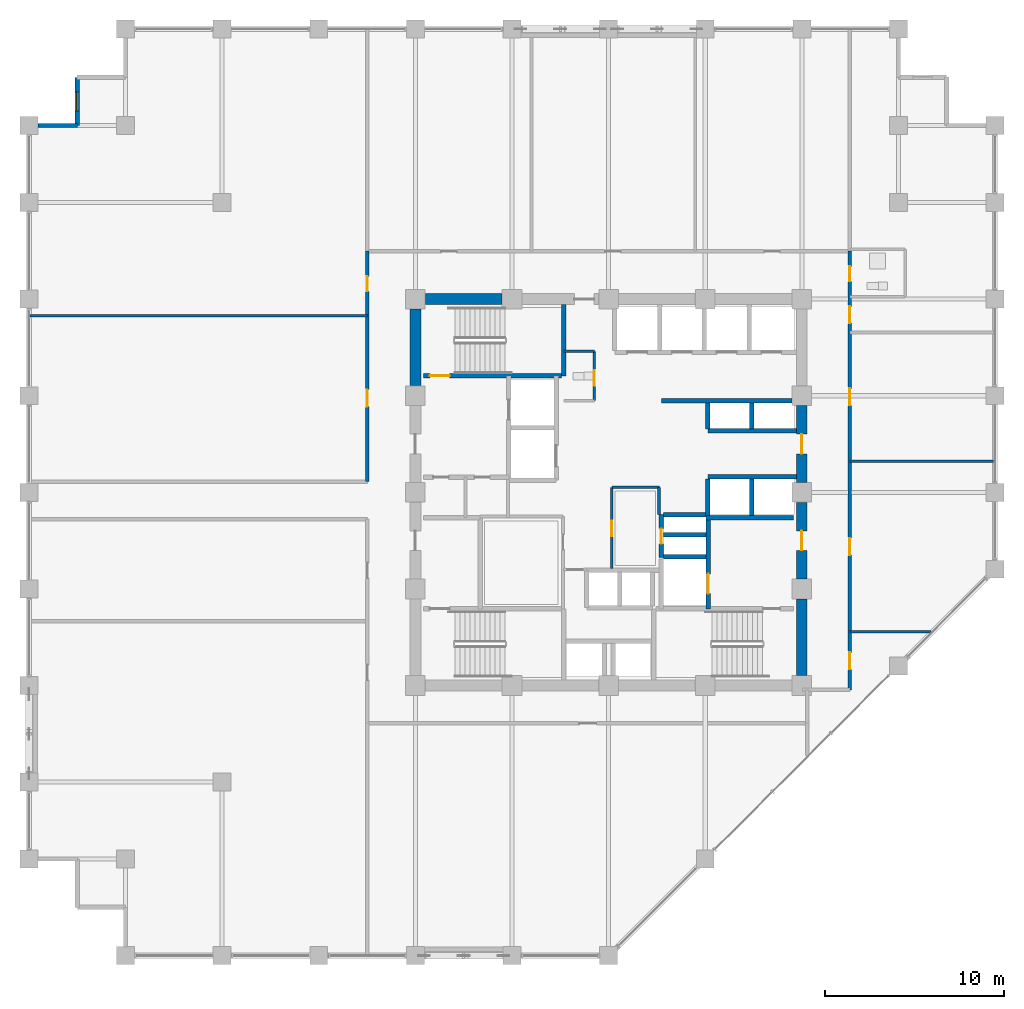
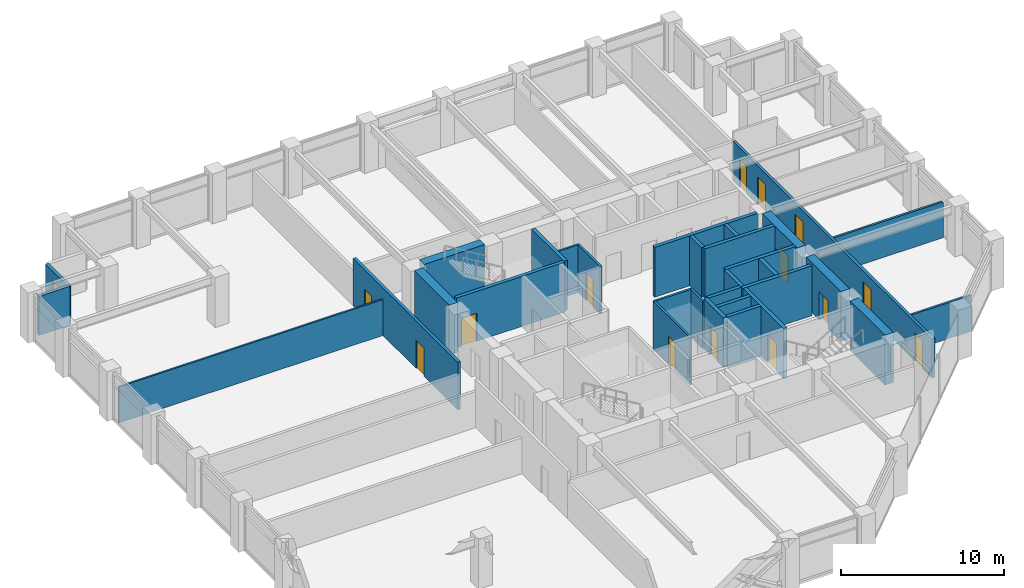
# One storey, part 20 of 23: 32 walls, 14 doors, 1 window, 15 openings.
"""IFC4 building model written with IfcOpenShell, lengths in metres."""

from ifc_helpers import new_model, si_unit, direction, frame, frame_2d, origin, place, context, subcontext, project, spatial, rectangle, extrude, material, layer, layer_set, type_object, element, fill, save


model = new_model("IFC4")

# Units and contexts
model_context = context("Model", 3, precision=1e-05, world=origin(), true_north=direction((0.0, 1.0)))
body_context = subcontext(model_context, "Body", "Model", "MODEL_VIEW")
ifc_project = project(units=[si_unit("LENGTHUNIT", "METRE"), si_unit("AREAUNIT", "SQUARE_METRE"), si_unit("VOLUMEUNIT", "CUBIC_METRE"), si_unit("PLANEANGLEUNIT", "RADIAN"), si_unit("MASSUNIT", "GRAM", prefix="KILO")], contexts=[model_context])

# Site, building, storey
site_placement = place(None, origin())
site = spatial("IfcSite", under=ifc_project, at=site_placement, CompositionType="ELEMENT")
building_placement = place(site_placement, origin())
building = spatial("IfcBuilding", under=site, at=building_placement, Name="Surkhivell Harbour Commons", CompositionType="ELEMENT")
storey_placement = place(building_placement, frame((0.0, 0.0, 128.25)))
storey = spatial("IfcBuildingStorey", under=building, at=storey_placement, Name="L33", CompositionType="ELEMENT", Elevation=128.25)

# Walls
ifc_material_1 = material(Name="Concrete C60/75", Category="concrete")
ifc_layer_1 = layer(ifc_material_1, 0.60009765625)
ifc_layer_set_1 = layer_set([ifc_layer_1], Name="Concrete C60/75")
wall_type_1 = type_object("IfcWallType", Name="WAL-CORE-600", PredefinedType="SHEAR", material=ifc_layer_set_1)
for number, where, z_axis, x_axis, name in (
    (1, (-10.239990234375, 10.800048828125, 0.0), (0.0, 0.0, 1.0), (1.0, 0.0, 0.0), "L33 Core Shear Wall North 1"),
    (2, (10.800048828125, -10.239990234375, 0.0), (0.0, 0.0, 1.0), (0.0, 1.0, 0.0), "L33 Core Shear Wall East 1"),
):
    element("IfcWall", number, at=place(storey_placement, frame(where, z_axis=z_axis, x_axis=x_axis)), inside=storey, type_object=wall_type_1, Name=name, PredefinedType="SHEAR", context=body_context, shape_type="SweptSolid", body=[
        extrude(rectangle(XDim=4.280029296875, YDim=0.60009765625, at=frame_2d((2.14013671875, 0.0))), origin(), (0.0, 0.0, 1.0), 3.75),
    ])

# Wall, opening, door
wall_1_placement = place(storey_placement, frame((10.800048828125, -4.840087890625, 0.0), z_axis=(0.0, 0.0, 1.0), x_axis=(0.0, 1.0, 0.0)))
wall_1 = element("IfcWall", 3, at=wall_1_placement, inside=storey, type_object=wall_type_1, Name="L33 Core Shear Wall East 2", PredefinedType="SHEAR", context=body_context, shape_type="SweptSolid", body=[
    extrude(rectangle(XDim=4.280029296875, YDim=0.60009765625, at=frame_2d((2.14013671875, 0.0))), origin(), (0.0, 0.0, 1.0), 3.75),
])
opening_1_placement = place(wall_1_placement, frame((1.590087890625, 0.0, 0.0)))
opening_1 = element("IfcOpeningElement", 4, at=opening_1_placement, cuts=wall_1, Name="Opening ID-1", PredefinedType="OPENING", context=body_context, shape_type="SweptSolid", body=[
    extrude(rectangle(XDim=1.10009765625, YDim=2.10009765625, at=frame_2d((0.550048828125, 1.050048828125))), frame((0.0, 0.31005859375, 0.0), z_axis=(0.0, -1.0, 0.0), x_axis=(1.0, 0.0, 0.0)), (0.0, 0.0, 1.0), 0.6201171875),
])
ifc_material_2 = material(Name="Hardwood-veneered fire-rated door leaf", Category="wood")
door_type_1 = type_object("IfcDoorType", Name="DOR-FD120-1100", OperationType="NOTDEFINED", PredefinedType="DOOR", material=ifc_material_2)
door_1_placement = place(opening_1_placement, origin())
door_1 = element("IfcDoor", 5, at=door_1_placement, inside=storey, type_object=door_type_1, Name="L33 Firefighting Lobby 2 Corridor Door", OperationType="SINGLE_SWING_RIGHT", OverallHeight=2.10009765625, OverallWidth=1.10009765625, PredefinedType="DOOR", context=body_context, shape_type="SweptSolid", body=[
    extrude(rectangle(XDim=1.10009765625, YDim=2.10009765625, at=frame_2d((0.550048828125, 1.050048828125))), frame((0.0, 0.02490234375, 0.0), z_axis=(0.0, -1.0, 0.0), x_axis=(1.0, 0.0, 0.0)), (0.0, 0.0, 1.0), 0.050048828125),
])
fill(opening_1, door_1)

wall_2_placement = place(storey_placement, frame((10.800048828125, 0.56005859375, 0.0), z_axis=(0.0, 0.0, 1.0), x_axis=(0.0, 1.0, 0.0)))
wall_2 = element("IfcWall", 6, at=wall_2_placement, inside=storey, type_object=wall_type_1, Name="L33 Core Shear Wall East 3", PredefinedType="SHEAR", context=body_context, shape_type="SweptSolid", body=[
    extrude(rectangle(XDim=4.280029296875, YDim=0.60009765625, at=frame_2d((2.14013671875, 0.0))), origin(), (0.0, 0.0, 1.0), 3.75),
])
opening_2_placement = place(wall_2_placement, frame((1.590087890625, 0.0, 0.0)))
opening_2 = element("IfcOpeningElement", 7, at=opening_2_placement, cuts=wall_2, Name="Opening ID-2", PredefinedType="OPENING", context=body_context, shape_type="SweptSolid", body=[
    extrude(rectangle(XDim=1.10009765625, YDim=2.10009765625, at=frame_2d((0.550048828125, 1.050048828125))), frame((0.0, 0.31005859375, 0.0), z_axis=(0.0, -1.0, 0.0), x_axis=(1.0, 0.0, 0.0)), (0.0, 0.0, 1.0), 0.6201171875),
])
door_type_2 = type_object("IfcDoorType", Name="DOR-FD60-1100", OperationType="NOTDEFINED", PredefinedType="DOOR", material=ifc_material_2)
door_2_placement = place(opening_2_placement, origin())
door_2 = element("IfcDoor", 8, at=door_2_placement, inside=storey, type_object=door_type_2, Name="L33 Mid-Rise Lobby East Door", OperationType="SINGLE_SWING_LEFT", OverallHeight=2.10009765625, OverallWidth=1.10009765625, PredefinedType="DOOR", context=body_context, shape_type="SweptSolid", body=[
    extrude(rectangle(XDim=1.10009765625, YDim=2.10009765625, at=frame_2d((0.550048828125, 1.050048828125))), frame((0.0, 0.02490234375, 0.0), z_axis=(0.0, -1.0, 0.0), x_axis=(1.0, 0.0, 0.0)), (0.0, 0.0, 1.0), 0.050048828125),
])
fill(opening_2, door_2)

# Wall
wall_3_placement = place(storey_placement, frame((-10.800048828125, 5.9599609375, 0.0), z_axis=(0.0, 0.0, 1.0), x_axis=(0.0, 1.0, 0.0)))
element("IfcWall", 9, at=wall_3_placement, inside=storey, type_object=wall_type_1, Name="L33 Core Shear Wall West 4", PredefinedType="SHEAR", context=body_context, shape_type="SweptSolid", body=[
    extrude(rectangle(XDim=4.280029296875, YDim=0.60009765625, at=frame_2d((2.14013671875, 0.0))), origin(), (0.0, 0.0, 1.0), 3.75),
])

# Wall, opening, window
ifc_material_3 = material(Name="Bronze-ochre cassette precast concrete C45/55", Category="concrete")
ifc_layer_2 = layer(ifc_material_3, 0.239990234375)
ifc_layer_set_2 = layer_set([ifc_layer_2], Name="Bronze-ochre cassette precast concrete C45/55")
wall_type_2 = type_object("IfcWallType", Name="WAL-EXT-OCH240", PredefinedType="STANDARD", material=ifc_layer_set_2)
wall_4_placement = place(storey_placement, frame((-29.699951171875, 23.199951171875, 0.0), z_axis=(0.0, 0.0, 1.0), x_axis=(0.0, -1.0, 0.0)))
wall_4 = element("IfcWall", 10, at=wall_4_placement, inside=storey, type_object=wall_type_2, Name="L33 Serrated Corner Facade Wall 10", PredefinedType="STANDARD", context=body_context, shape_type="SweptSolid", body=[
    extrude(rectangle(XDim=2.699951171875, YDim=0.239990234375, at=frame_2d((1.35009765625, 0.0))), origin(), (0.0, 0.0, 1.0), 2.93310546875),
])
opening_3_placement = place(wall_4_placement, frame((0.824951171875, 0.0, 0.64990234375)))
opening_3 = element("IfcOpeningElement", 11, at=opening_3_placement, cuts=wall_4, Name="Opening WN-11", PredefinedType="OPENING", context=body_context, shape_type="SweptSolid", body=[
    extrude(rectangle(XDim=1.050048828125, YDim=1.5, at=frame_2d((0.52490234375, 0.75))), frame((0.0, 0.1298828125, 0.0), z_axis=(0.0, -1.0, 0.0), x_axis=(1.0, 0.0, 0.0)), (0.0, 0.0, 1.0), 0.260009765625),
])
ifc_material_4 = material(Name="Thermal-break aluminium frame and double low-E glazing", Category="aluminium")
window_type = type_object("IfcWindowType", Name="WIN-SER-1050x1500", PartitioningType="SINGLE_PANEL", PredefinedType="WINDOW", material=ifc_material_4)
window_placement = place(opening_3_placement, origin())
window = element("IfcWindow", 12, at=window_placement, inside=storey, type_object=window_type, Name="L33 Serrated Alcove Window 10", OverallHeight=1.5, OverallWidth=1.050048828125, PartitioningType="SINGLE_PANEL", PredefinedType="WINDOW", context=body_context, shape_type="SweptSolid", body=[
    extrude(rectangle(XDim=1.050048828125, YDim=1.5, at=frame_2d((0.52490234375, 0.75))), frame((0.0, 0.030029296875, 0.0), z_axis=(0.0, -1.0, 0.0), x_axis=(1.0, 0.0, 0.0)), (0.0, 0.0, 1.0), 0.06005859375),
])
fill(opening_3, window)

# Walls
wall_5_placement = place(storey_placement, frame((-29.699951171875, 20.5, 0.0), z_axis=(0.0, 0.0, 1.0), x_axis=(-1.0, 0.0, 0.0)))
element("IfcWall", 13, at=wall_5_placement, inside=storey, type_object=wall_type_2, Name="L33 Serrated Corner Facade Wall 11", PredefinedType="STANDARD", context=body_context, shape_type="SweptSolid", body=[
    extrude(rectangle(XDim=2.2021484375, YDim=0.239990234375, at=frame_2d((1.10107421875, 0.0))), origin(), (0.0, 0.0, 1.0), 2.93310546875),
])
ifc_material_5 = material(Name="Moisture-resistant acoustic stud partition", Category="other")
ifc_layer_3 = layer(ifc_material_5, 0.125)
ifc_layer_set_3 = layer_set([ifc_layer_3], Name="Moisture-resistant acoustic stud partition")
wall_type_3 = type_object("IfcWallType", Name="WAL-INT-125", PredefinedType="PARTITIONING", material=ifc_layer_set_3)
wall_6_placement = place(storey_placement, frame((-32.340087890625, 9.8701171875, 0.0), z_axis=(0.0, 0.0, 1.0), x_axis=(1.0, 0.0, 0.0)))
element("IfcWall", 14, at=wall_6_placement, inside=storey, type_object=wall_type_3, Name="L33 North-West Partition P1", PredefinedType="PARTITIONING", context=body_context, shape_type="SweptSolid", body=[
    extrude(rectangle(XDim=18.860107421875, YDim=0.125, at=frame_2d((9.43017578125, 0.0))), origin(), (0.0, 0.0, 1.0), 2.698974609375),
])

# Wall, opening, door
ifc_material_6 = material(Name="Twin-stud acoustic fireboard partition", Category="other")
ifc_layer_4 = layer(ifc_material_6, 0.14990234375)
ifc_layer_set_4 = layer_set([ifc_layer_4], Name="Twin-stud acoustic fireboard partition")
wall_type_4 = type_object("IfcWallType", Name="WAL-INT-150", PredefinedType="PARTITIONING", material=ifc_layer_set_4)
wall_7_placement = place(storey_placement, frame((-0.800048828125, 5.1201171875, 0.0), z_axis=(0.0, 0.0, 1.0), x_axis=(0.0, 1.0, 0.0)))
wall_7 = element("IfcWall", 15, at=wall_7_placement, inside=storey, type_object=wall_type_4, Name="L33 Core Accessible WC East Wall", PredefinedType="PARTITIONING", context=body_context, shape_type="SweptSolid", body=[
    extrude(rectangle(XDim=2.759765625, YDim=0.14990234375, at=frame_2d((1.3798828125, 0.0))), origin(), (0.0, 0.0, 1.0), 3.570068359375),
])
opening_4_placement = place(wall_7_placement, frame((0.85009765625, 0.0, 0.0)))
opening_4 = element("IfcOpeningElement", 16, at=opening_4_placement, cuts=wall_7, Name="Opening ID-6", PredefinedType="OPENING", context=body_context, shape_type="SweptSolid", body=[
    extrude(rectangle(XDim=0.85009765625, YDim=2.10009765625, at=frame_2d((0.425048828125, 1.050048828125))), frame((0.0, 0.0849609375, 0.0), z_axis=(0.0, -1.0, 0.0), x_axis=(1.0, 0.0, 0.0)), (0.0, 0.0, 1.0), 0.169921875),
])
door_type_3 = type_object("IfcDoorType", Name="DOR-FD30-850", OperationType="NOTDEFINED", PredefinedType="DOOR", material=ifc_material_2)
door_3_placement = place(opening_4_placement, origin())
door_3 = element("IfcDoor", 17, at=door_3_placement, inside=storey, type_object=door_type_3, Name="L33 Floor Accessible WC Door", OperationType="SINGLE_SWING_LEFT", OverallHeight=2.10009765625, OverallWidth=0.85009765625, PredefinedType="DOOR", context=body_context, shape_type="SweptSolid", body=[
    extrude(rectangle(XDim=0.85009765625, YDim=2.10009765625, at=frame_2d((0.425048828125, 1.050048828125))), frame((0.0, 0.02490234375, 0.0), z_axis=(0.0, -1.0, 0.0), x_axis=(1.0, 0.0, 0.0)), (0.0, 0.0, 1.0), 0.050048828125),
])
fill(opening_4, door_3)

# Walls
wall_8_placement = place(storey_placement, frame((-2.47998046875, 7.8798828125, 0.0), z_axis=(0.0, 0.0, 1.0), x_axis=(1.0, 0.0, 0.0)))
element("IfcWall", 18, at=wall_8_placement, inside=storey, type_object=wall_type_4, Name="L33 Core Accessible WC North Wall", PredefinedType="PARTITIONING", context=body_context, shape_type="SweptSolid", body=[
    extrude(rectangle(XDim=1.679931640625, YDim=0.14990234375, at=frame_2d((0.83984375, 0.0))), origin(), (0.0, 0.0, 1.0), 3.570068359375),
])
wall_9_placement = place(storey_placement, frame((2.820068359375, -1.25, 0.0), z_axis=(0.0, 0.0, 1.0), x_axis=(0.0, 1.0, 0.0)))
element("IfcWall", 19, at=wall_9_placement, inside=storey, type_object=wall_type_4, Name="L33 Central Music East Wall", PredefinedType="PARTITIONING", context=body_context, shape_type="SweptSolid", body=[
    extrude(rectangle(XDim=1.530029296875, YDim=0.14990234375, at=frame_2d((0.76513671875, 0.0))), origin(), (0.0, 0.0, 1.0), 3.570068359375),
])
wall_10_placement = place(storey_placement, frame((0.179931640625, 0.280029296875, 0.0), z_axis=(0.0, 0.0, 1.0), x_axis=(1.0, 0.0, 0.0)))
element("IfcWall", 20, at=wall_10_placement, inside=storey, type_object=wall_type_4, Name="L33 Central Music North Wall", PredefinedType="PARTITIONING", context=body_context, shape_type="SweptSolid", body=[
    extrude(rectangle(XDim=2.670166015625, YDim=0.14990234375, at=frame_2d((1.3349609375, 0.0))), origin(), (0.0, 0.0, 1.0), 3.570068359375),
])

# Wall, opening, door
wall_11_placement = place(storey_placement, frame((0.179931640625, -4.25, 0.0), z_axis=(0.0, 0.0, 1.0), x_axis=(0.0, 1.0, 0.0)))
wall_11 = element("IfcWall", 21, at=wall_11_placement, inside=storey, type_object=wall_type_4, Name="L33 Central Music West Wall", PredefinedType="PARTITIONING", context=body_context, shape_type="SweptSolid", body=[
    extrude(rectangle(XDim=4.530029296875, YDim=0.14990234375, at=frame_2d((2.26513671875, 0.0))), origin(), (0.0, 0.0, 1.0), 3.570068359375),
])
opening_5_placement = place(wall_11_placement, frame((1.800048828125, 0.0, 0.0)))
opening_5 = element("IfcOpeningElement", 22, at=opening_5_placement, cuts=wall_11, Name="Opening ID-6", PredefinedType="OPENING", context=body_context, shape_type="SweptSolid", body=[
    extrude(rectangle(XDim=0.85009765625, YDim=2.10009765625, at=frame_2d((0.425048828125, 1.050048828125))), frame((0.0, 0.0849609375, 0.0), z_axis=(0.0, -1.0, 0.0), x_axis=(1.0, 0.0, 0.0)), (0.0, 0.0, 1.0), 0.169921875),
])
door_4_placement = place(opening_5_placement, origin())
door_4 = element("IfcDoor", 23, at=door_4_placement, inside=storey, type_object=door_type_3, Name="L33 Central Music Door", OperationType="SINGLE_SWING_RIGHT", OverallHeight=2.10009765625, OverallWidth=0.85009765625, PredefinedType="DOOR", context=body_context, shape_type="SweptSolid", body=[
    extrude(rectangle(XDim=0.85009765625, YDim=2.10009765625, at=frame_2d((0.425048828125, 1.050048828125))), frame((0.0, 0.02490234375, 0.0), z_axis=(0.0, -1.0, 0.0), x_axis=(1.0, 0.0, 0.0)), (0.0, 0.0, 1.0), 0.050048828125),
])
fill(opening_5, door_4)

# Walls
wall_12_placement = place(storey_placement, frame((13.47998046875, 1.739990234375, 0.0), z_axis=(0.0, 0.0, 1.0), x_axis=(1.0, 0.0, 0.0)))
element("IfcWall", 24, at=wall_12_placement, inside=storey, type_object=wall_type_4, Name="L33 East Partition BDP1", PredefinedType="PARTITIONING", context=body_context, shape_type="SweptSolid", body=[
    extrude(rectangle(XDim=8.06005859375, YDim=0.14990234375, at=frame_2d((4.030029296875, 0.0))), origin(), (0.0, 0.0, 1.0), 2.698974609375),
])
wall_13_placement = place(storey_placement, frame((13.47998046875, -7.800048828125, 0.0), z_axis=(0.0, 0.0, 1.0), x_axis=(1.0, 0.0, 0.0)))
element("IfcWall", 25, at=wall_13_placement, inside=storey, type_object=wall_type_4, Name="L33 East Partition PBOT", PredefinedType="PARTITIONING", context=body_context, shape_type="SweptSolid", body=[
    extrude(rectangle(XDim=4.53515625, YDim=0.14990234375, at=frame_2d((2.267578125, 0.0))), origin(), (0.0, 0.0, 1.0), 2.698974609375),
])

# Wall, openings, doors
ifc_material_7 = material(Name="Autoclaved aerated concrete blockwork and fire plaster", Category="masonry")
ifc_layer_5 = layer(ifc_material_7, 0.199951171875)
ifc_layer_set_5 = layer_set([ifc_layer_5], Name="Autoclaved aerated concrete blockwork and fire plaster")
wall_type_5 = type_object("IfcWallType", Name="WAL-INT-200", PredefinedType="PARTITIONING", material=ifc_layer_set_5)
wall_14_placement = place(storey_placement, frame((13.47998046875, -11.0400390625, 0.0), z_axis=(0.0, 0.0, 1.0), x_axis=(0.0, 1.0, 0.0)))
wall_14 = element("IfcWall", 26, at=wall_14_placement, inside=storey, type_object=wall_type_5, Name="L33 Corridor East Wall", PredefinedType="PARTITIONING", context=body_context, shape_type="SweptSolid", body=[
    extrude(rectangle(XDim=24.52001953125, YDim=0.199951171875, at=frame_2d((12.260009765625, 0.0))), origin(), (0.0, 0.0, 1.0), 2.93310546875),
])
opening_6_placement = place(wall_14_placement, frame((1.139892578125, 0.0, 0.0)))
opening_6 = element("IfcOpeningElement", 27, at=opening_6_placement, cuts=wall_14, Name="Opening ID-4", PredefinedType="OPENING", context=body_context, shape_type="SweptSolid", body=[
    extrude(rectangle(XDim=0.949951171875, YDim=2.10009765625, at=frame_2d((0.47509765625, 1.050048828125))), frame((0.0, 0.10986328125, 0.0), z_axis=(0.0, -1.0, 0.0), x_axis=(1.0, 0.0, 0.0)), (0.0, 0.0, 1.0), 0.219970703125),
])
opening_7_placement = place(wall_14_placement, frame((22.824951171875, 0.0, 0.0)))
opening_7 = element("IfcOpeningElement", 28, at=opening_7_placement, cuts=wall_14, Name="Opening ID-6", PredefinedType="OPENING", context=body_context, shape_type="SweptSolid", body=[
    extrude(rectangle(XDim=0.85009765625, YDim=2.10009765625, at=frame_2d((0.425048828125, 1.050048828125))), frame((0.0, 0.10986328125, 0.0), z_axis=(0.0, -1.0, 0.0), x_axis=(1.0, 0.0, 0.0)), (0.0, 0.0, 1.0), 0.219970703125),
])
opening_8_placement = place(wall_14_placement, frame((20.489990234375, 0.0, 0.0)))
opening_8 = element("IfcOpeningElement", 29, at=opening_8_placement, cuts=wall_14, Name="Opening ID-4", PredefinedType="OPENING", context=body_context, shape_type="SweptSolid", body=[
    extrude(rectangle(XDim=0.949951171875, YDim=2.10009765625, at=frame_2d((0.47509765625, 1.050048828125))), frame((0.0, 0.10986328125, 0.0), z_axis=(0.0, -1.0, 0.0), x_axis=(1.0, 0.0, 0.0)), (0.0, 0.0, 1.0), 0.219970703125),
])
opening_9_placement = place(wall_14_placement, frame((7.530029296875, 0.0, 0.0)))
opening_9 = element("IfcOpeningElement", 30, at=opening_9_placement, cuts=wall_14, Name="Opening ID-4", PredefinedType="OPENING", context=body_context, shape_type="SweptSolid", body=[
    extrude(rectangle(XDim=0.949951171875, YDim=2.10009765625, at=frame_2d((0.47509765625, 1.050048828125))), frame((0.0, 0.10986328125, 0.0), z_axis=(0.0, -1.0, 0.0), x_axis=(1.0, 0.0, 0.0)), (0.0, 0.0, 1.0), 0.219970703125),
])
opening_10_placement = place(wall_14_placement, frame((15.89501953125, 0.0, 0.0)))
opening_10 = element("IfcOpeningElement", 31, at=opening_10_placement, cuts=wall_14, Name="Opening ID-4", PredefinedType="OPENING", context=body_context, shape_type="SweptSolid", body=[
    extrude(rectangle(XDim=0.949951171875, YDim=2.10009765625, at=frame_2d((0.47509765625, 1.050048828125))), frame((0.0, 0.10986328125, 0.0), z_axis=(0.0, -1.0, 0.0), x_axis=(1.0, 0.0, 0.0)), (0.0, 0.0, 1.0), 0.219970703125),
])
door_5_placement = place(opening_7_placement, origin())
door_5 = element("IfcDoor", 32, at=door_5_placement, inside=storey, type_object=door_type_3, Name="L33 Communal Shower Bathroom East Door", OperationType="SINGLE_SWING_LEFT", OverallHeight=2.10009765625, OverallWidth=0.85009765625, PredefinedType="DOOR", context=body_context, shape_type="SweptSolid", body=[
    extrude(rectangle(XDim=0.85009765625, YDim=2.10009765625, at=frame_2d((0.425048828125, 1.050048828125))), frame((0.0, 0.02490234375, 0.0), z_axis=(0.0, -1.0, 0.0), x_axis=(1.0, 0.0, 0.0)), (0.0, 0.0, 1.0), 0.050048828125),
])
fill(opening_7, door_5)
door_type_4 = type_object("IfcDoorType", Name="DOR-FD60-950", OperationType="NOTDEFINED", PredefinedType="DOOR", material=ifc_material_2)
door_6_placement = place(opening_6_placement, origin())
door_6 = element("IfcDoor", 33, at=door_6_placement, inside=storey, type_object=door_type_4, Name="L33 Shared Communal Kitchen East Door", OperationType="SINGLE_SWING_RIGHT", OverallHeight=2.10009765625, OverallWidth=0.949951171875, PredefinedType="DOOR", context=body_context, shape_type="SweptSolid", body=[
    extrude(rectangle(XDim=0.949951171875, YDim=2.10009765625, at=frame_2d((0.47509765625, 1.050048828125))), frame((0.0, 0.02490234375, 0.0), z_axis=(0.0, -1.0, 0.0), x_axis=(1.0, 0.0, 0.0)), (0.0, 0.0, 1.0), 0.050048828125),
])
fill(opening_6, door_6)
door_7_placement = place(opening_8_placement, origin())
door_7 = element("IfcDoor", 34, at=door_7_placement, inside=storey, type_object=door_type_4, Name="L33 Academic Reading Commons East Door", OperationType="SINGLE_SWING_RIGHT", OverallHeight=2.10009765625, OverallWidth=0.949951171875, PredefinedType="DOOR", context=body_context, shape_type="SweptSolid", body=[
    extrude(rectangle(XDim=0.949951171875, YDim=2.10009765625, at=frame_2d((0.47509765625, 1.050048828125))), frame((0.0, 0.02490234375, 0.0), z_axis=(0.0, -1.0, 0.0), x_axis=(1.0, 0.0, 0.0)), (0.0, 0.0, 1.0), 0.050048828125),
])
fill(opening_8, door_7)
door_8_placement = place(opening_9_placement, origin())
door_8 = element("IfcDoor", 35, at=door_8_placement, inside=storey, type_object=door_type_4, Name="L33 Hostel Cluster Bedroom 1 East Door", OperationType="SINGLE_SWING_LEFT", OverallHeight=2.10009765625, OverallWidth=0.949951171875, PredefinedType="DOOR", context=body_context, shape_type="SweptSolid", body=[
    extrude(rectangle(XDim=0.949951171875, YDim=2.10009765625, at=frame_2d((0.47509765625, 1.050048828125))), frame((0.0, 0.02490234375, 0.0), z_axis=(0.0, -1.0, 0.0), x_axis=(1.0, 0.0, 0.0)), (0.0, 0.0, 1.0), 0.050048828125),
])
fill(opening_9, door_8)
door_9_placement = place(opening_10_placement, origin())
door_9 = element("IfcDoor", 36, at=door_9_placement, inside=storey, type_object=door_type_4, Name="L33 Co-Living Dormitory Bedroom 2 East Door", OperationType="SINGLE_SWING_RIGHT", OverallHeight=2.10009765625, OverallWidth=0.949951171875, PredefinedType="DOOR", context=body_context, shape_type="SweptSolid", body=[
    extrude(rectangle(XDim=0.949951171875, YDim=2.10009765625, at=frame_2d((0.47509765625, 1.050048828125))), frame((0.0, 0.02490234375, 0.0), z_axis=(0.0, -1.0, 0.0), x_axis=(1.0, 0.0, 0.0)), (0.0, 0.0, 1.0), 0.050048828125),
])
fill(opening_10, door_9)

wall_15_placement = place(storey_placement, frame((-13.47998046875, 0.60009765625, 0.0), z_axis=(0.0, 0.0, 1.0), x_axis=(0.0, 1.0, 0.0)))
wall_15 = element("IfcWall", 37, at=wall_15_placement, inside=storey, type_object=wall_type_5, Name="L33 Corridor West-Upper Wall", PredefinedType="PARTITIONING", context=body_context, shape_type="SweptSolid", body=[
    extrude(rectangle(XDim=12.8798828125, YDim=0.199951171875, at=frame_2d((6.43994140625, 0.0))), origin(), (0.0, 0.0, 1.0), 3.570068359375),
])
opening_11_placement = place(wall_15_placement, frame((4.18505859375, 0.0, 0.0)))
opening_11 = element("IfcOpeningElement", 38, at=opening_11_placement, cuts=wall_15, Name="Opening ID-4", PredefinedType="OPENING", context=body_context, shape_type="SweptSolid", body=[
    extrude(rectangle(XDim=0.949951171875, YDim=2.10009765625, at=frame_2d((0.47509765625, 1.050048828125))), frame((0.0, 0.10986328125, 0.0), z_axis=(0.0, -1.0, 0.0), x_axis=(1.0, 0.0, 0.0)), (0.0, 0.0, 1.0), 0.219970703125),
])
opening_12_placement = place(wall_15_placement, frame((10.625, 0.0, 0.0)))
opening_12 = element("IfcOpeningElement", 39, at=opening_12_placement, cuts=wall_15, Name="Opening ID-6", PredefinedType="OPENING", context=body_context, shape_type="SweptSolid", body=[
    extrude(rectangle(XDim=0.85009765625, YDim=2.10009765625, at=frame_2d((0.425048828125, 1.050048828125))), frame((0.0, 0.10986328125, 0.0), z_axis=(0.0, -1.0, 0.0), x_axis=(1.0, 0.0, 0.0)), (0.0, 0.0, 1.0), 0.219970703125),
])
door_10_placement = place(opening_12_placement, origin())
door_10 = element("IfcDoor", 40, at=door_10_placement, inside=storey, type_object=door_type_3, Name="L33 Resident Advisory Reception Desk North-West Door", OperationType="SINGLE_SWING_RIGHT", OverallHeight=2.10009765625, OverallWidth=0.85009765625, PredefinedType="DOOR", context=body_context, shape_type="SweptSolid", body=[
    extrude(rectangle(XDim=0.85009765625, YDim=2.10009765625, at=frame_2d((0.425048828125, 1.050048828125))), frame((0.0, 0.02490234375, 0.0), z_axis=(0.0, -1.0, 0.0), x_axis=(1.0, 0.0, 0.0)), (0.0, 0.0, 1.0), 0.050048828125),
])
fill(opening_12, door_10)
door_11_placement = place(opening_11_placement, origin())
door_11 = element("IfcDoor", 41, at=door_11_placement, inside=storey, type_object=door_type_4, Name="L33 Zone Concierge Reception Foyer North-West Door", OperationType="SINGLE_SWING_LEFT", OverallHeight=2.10009765625, OverallWidth=0.949951171875, PredefinedType="DOOR", context=body_context, shape_type="SweptSolid", body=[
    extrude(rectangle(XDim=0.949951171875, YDim=2.10009765625, at=frame_2d((0.47509765625, 1.050048828125))), frame((0.0, 0.02490234375, 0.0), z_axis=(0.0, -1.0, 0.0), x_axis=(1.0, 0.0, 0.0)), (0.0, 0.0, 1.0), 0.050048828125),
])
fill(opening_11, door_11)

# Walls
ifc_material_8 = material(Name="Concrete C50/60", Category="concrete")
ifc_layer_6 = layer(ifc_material_8, 0.25)
ifc_layer_set_6 = layer_set([ifc_layer_6], Name="Concrete C50/60")
wall_type_6 = type_object("IfcWallType", Name="WAL-SHAFT-250", PredefinedType="SHEAR", material=ifc_layer_set_6)
wall_16_placement = place(storey_placement, frame((5.43994140625, -1.419921875, 0.0), z_axis=(0.0, 0.0, 1.0), x_axis=(1.0, 0.0, 0.0)))
element("IfcWall", 42, at=wall_16_placement, inside=storey, type_object=wall_type_6, Name="L33 Firefighting Lobby 2 North Wall", PredefinedType="SHEAR", context=body_context, shape_type="SweptSolid", body=[
    extrude(rectangle(XDim=4.900146484375, YDim=0.25, at=frame_2d((2.4501953125, 0.0))), origin(), (0.0, 0.0, 1.0), 3.75),
])
wall_17_placement = place(storey_placement, frame((3.080078125, -3.60009765625, 0.0), z_axis=(0.0, 0.0, 1.0), x_axis=(1.0, 0.0, 0.0)))
element("IfcWall", 43, at=wall_17_placement, inside=storey, type_object=wall_type_6, Name="L33 FFL2 North Shaft Wall", PredefinedType="SHEAR", context=body_context, shape_type="SweptSolid", body=[
    extrude(rectangle(XDim=2.369873046875, YDim=0.25, at=frame_2d((1.18505859375, 0.0))), origin(), (0.0, 0.0, 1.0), 3.75),
])

# Wall, opening, door
wall_18_placement = place(storey_placement, frame((5.580078125, -6.510009765625, 0.0), z_axis=(0.0, 0.0, 1.0), x_axis=(0.0, 1.0, 0.0)))
wall_18 = element("IfcWall", 44, at=wall_18_placement, inside=storey, type_object=wall_type_6, Name="L33 Firefighting Lobby 2 West Shaft Wall", PredefinedType="SHEAR", context=body_context, shape_type="SweptSolid", body=[
    extrude(rectangle(XDim=5.090087890625, YDim=0.25, at=frame_2d((2.544921875, 0.0))), origin(), (0.0, 0.0, 1.0), 3.75),
])
opening_13_placement = place(wall_18_placement, frame((0.85009765625, 0.0, 0.0)))
opening_13 = element("IfcOpeningElement", 45, at=opening_13_placement, cuts=wall_18, Name="Opening LD-1", PredefinedType="OPENING", context=body_context, shape_type="SweptSolid", body=[
    extrude(rectangle(XDim=1.10009765625, YDim=2.10009765625, at=frame_2d((0.550048828125, 1.050048828125))), frame((0.0, 0.135009765625, 0.0), z_axis=(0.0, -1.0, 0.0), x_axis=(1.0, 0.0, 0.0)), (0.0, 0.0, 1.0), 0.27001953125),
])
ifc_material_9 = material(Name="Brushed stainless steel S355", Category="steel")
door_type_5 = type_object("IfcDoorType", Name="DOR-LD-1100", OperationType="SLIDING_TO_LEFT", PredefinedType="DOOR", material=ifc_material_9)
door_12_placement = place(opening_13_placement, origin())
door_12 = element("IfcDoor", 46, at=door_12_placement, inside=storey, type_object=door_type_5, Name="L33 Lift Landing Door LD-FFL2", OperationType="SLIDING_TO_RIGHT", OverallHeight=2.10009765625, OverallWidth=1.10009765625, PredefinedType="DOOR", context=body_context, shape_type="SweptSolid", body=[
    extrude(rectangle(XDim=1.10009765625, YDim=2.10009765625, at=frame_2d((0.550048828125, 1.050048828125))), frame((0.0, 0.02490234375, 0.0), z_axis=(0.0, -1.0, 0.0), x_axis=(1.0, 0.0, 0.0)), (0.0, 0.0, 1.0), 0.050048828125),
])
fill(opening_13, door_12)

# Walls
wall_19_placement = place(storey_placement, frame((2.949951171875, 5.1201171875, 0.0), z_axis=(0.0, 0.0, 1.0), x_axis=(1.0, 0.0, 0.0)))
element("IfcWall", 47, at=wall_19_placement, inside=storey, type_object=wall_type_6, Name="L33 Low-Rise Lobby South Wall", PredefinedType="SHEAR", context=body_context, shape_type="SweptSolid", body=[
    extrude(rectangle(XDim=7.300048828125, YDim=0.25, at=frame_2d((3.64990234375, 0.0))), origin(), (0.0, 0.0, 1.0), 3.75),
])
for number, where, z_axis, x_axis, name in (
    (48, (5.550048828125, 3.550048828125, 0.0), (0.0, 0.0, 1.0), (0.0, 1.0, 0.0), "L33 Mid-Rise Shaft Side Wall N"),
    (49, (8.0, 3.550048828125, 0.0), (0.0, 0.0, 1.0), (0.0, 1.0, 0.0), "L33 Mid-Rise Shaft Side Wall N"),
):
    element("IfcWall", number, at=place(storey_placement, frame(where, z_axis=z_axis, x_axis=x_axis)), inside=storey, type_object=wall_type_6, Name=name, PredefinedType="SHEAR", context=body_context, shape_type="SweptSolid", body=[
        extrude(rectangle(XDim=1.449951171875, YDim=0.25, at=frame_2d((0.72509765625, 0.0))), origin(), (0.0, 0.0, 1.0), 3.75),
    ])
for number, where, z_axis, x_axis, name in (
    (50, (5.550048828125, -1.300048828125, 0.0), (0.0, 0.0, 1.0), (0.0, 1.0, 0.0), "L33 Mid-Rise Shaft Side Wall S"),
    (51, (8.0, -1.300048828125, 0.0), (0.0, 0.0, 1.0), (0.0, 1.0, 0.0), "L33 Mid-Rise Shaft Side Wall S"),
):
    element("IfcWall", number, at=place(storey_placement, frame(where, z_axis=z_axis, x_axis=x_axis)), inside=storey, type_object=wall_type_6, Name=name, PredefinedType="SHEAR", context=body_context, shape_type="SweptSolid", body=[
        extrude(rectangle(XDim=2.0400390625, YDim=0.25, at=frame_2d((1.02001953125, 0.0))), origin(), (0.0, 0.0, 1.0), 3.75),
    ])
for number, where, z_axis, x_axis, name in (
    (52, (5.550048828125, 3.429931640625, 0.0), (0.0, 0.0, 1.0), (1.0, 0.0, 0.0), "L33 Mid-Rise North Front Shaft Wall"),
    (53, (5.550048828125, 0.8701171875, 0.0), (0.0, 0.0, 1.0), (1.0, 0.0, 0.0), "L33 Mid-Rise South Front Shaft Wall"),
):
    element("IfcWall", number, at=place(storey_placement, frame(where, z_axis=z_axis, x_axis=x_axis)), inside=storey, type_object=wall_type_6, Name=name, PredefinedType="SHEAR", context=body_context, shape_type="SweptSolid", body=[
        extrude(rectangle(XDim=4.949951171875, YDim=0.25, at=frame_2d((2.47509765625, 0.0))), origin(), (0.0, 0.0, 1.0), 3.75),
    ])
for number, where, z_axis, x_axis, name in (
    (54, (3.080078125, -2.3798828125, 0.0), (0.0, 0.0, 1.0), (1.0, 0.0, 0.0), "L33 Riser Divider Wall"),
    (55, (3.080078125, -1.25, 0.0), (0.0, 0.0, 1.0), (1.0, 0.0, 0.0), "L33 Riser North Wall"),
):
    element("IfcWall", number, at=place(storey_placement, frame(where, z_axis=z_axis, x_axis=x_axis)), inside=storey, type_object=wall_type_6, Name=name, PredefinedType="SHEAR", context=body_context, shape_type="SweptSolid", body=[
        extrude(rectangle(XDim=2.369873046875, YDim=0.25, at=frame_2d((1.18505859375, 0.0))), origin(), (0.0, 0.0, 1.0), 3.75),
    ])

# Wall, opening, door
wall_20_placement = place(storey_placement, frame((2.949951171875, -3.64990234375, 0.0), z_axis=(0.0, 0.0, 1.0), x_axis=(0.0, 1.0, 0.0)))
wall_20 = element("IfcWall", 56, at=wall_20_placement, inside=storey, type_object=wall_type_6, Name="L33 Riser Shaft West Wall", PredefinedType="SHEAR", context=body_context, shape_type="SweptSolid", body=[
    extrude(rectangle(XDim=2.39990234375, YDim=0.25, at=frame_2d((1.199951171875, 0.0))), origin(), (0.0, 0.0, 1.0), 3.75),
])
opening_14_placement = place(wall_20_placement, frame((0.77490234375, 0.0, 0.0)))
opening_14 = element("IfcOpeningElement", 57, at=opening_14_placement, cuts=wall_20, Name="Opening ID-6", PredefinedType="OPENING", context=body_context, shape_type="SweptSolid", body=[
    extrude(rectangle(XDim=0.85009765625, YDim=2.10009765625, at=frame_2d((0.425048828125, 1.050048828125))), frame((0.0, 0.135009765625, 0.0), z_axis=(0.0, -1.0, 0.0), x_axis=(1.0, 0.0, 0.0)), (0.0, 0.0, 1.0), 0.27001953125),
])
door_13_placement = place(opening_14_placement, origin())
door_13 = element("IfcDoor", 58, at=door_13_placement, inside=storey, type_object=door_type_3, Name="L33 Electrical Riser Access Door", OperationType="SINGLE_SWING_LEFT", OverallHeight=2.10009765625, OverallWidth=0.85009765625, PredefinedType="DOOR", context=body_context, shape_type="SweptSolid", body=[
    extrude(rectangle(XDim=0.85009765625, YDim=2.10009765625, at=frame_2d((0.425048828125, 1.050048828125))), frame((0.0, 0.02490234375, 0.0), z_axis=(0.0, -1.0, 0.0), x_axis=(1.0, 0.0, 0.0)), (0.0, 0.0, 1.0), 0.050048828125),
])
fill(opening_14, door_13)

# Wall
wall_21_placement = place(storey_placement, frame((-2.510009765625, 6.510009765625, 0.0), z_axis=(0.0, 0.0, 1.0), x_axis=(0.0, 1.0, 0.0)))
element("IfcWall", 59, at=wall_21_placement, inside=storey, type_object=wall_type_6, Name="L33 Stair ST1 East Shear Wall", PredefinedType="SHEAR", context=body_context, shape_type="SweptSolid", body=[
    extrude(rectangle(XDim=3.989990234375, YDim=0.25, at=frame_2d((1.9951171875, 0.0))), origin(), (0.0, 0.0, 1.0), 3.75),
])

# Wall, opening, door
wall_22_placement = place(storey_placement, frame((-10.340087890625, 6.510009765625, 0.0), z_axis=(0.0, 0.0, 1.0), x_axis=(1.0, 0.0, 0.0)))
wall_22 = element("IfcWall", 60, at=wall_22_placement, inside=storey, type_object=wall_type_6, Name="L33 Stair ST1 South Shear Wall", PredefinedType="SHEAR", context=body_context, shape_type="SweptSolid", body=[
    extrude(rectangle(XDim=7.7001953125, YDim=0.25, at=frame_2d((3.85009765625, 0.0))), origin(), (0.0, 0.0, 1.0), 3.75),
])
opening_15_placement = place(wall_22_placement, frame((0.35009765625, 0.0, 0.0)))
opening_15 = element("IfcOpeningElement", 61, at=opening_15_placement, cuts=wall_22, Name="Opening ID-2", PredefinedType="OPENING", context=body_context, shape_type="SweptSolid", body=[
    extrude(rectangle(XDim=1.10009765625, YDim=2.10009765625, at=frame_2d((0.550048828125, 1.050048828125))), frame((0.0, 0.135009765625, 0.0), z_axis=(0.0, -1.0, 0.0), x_axis=(1.0, 0.0, 0.0)), (0.0, 0.0, 1.0), 0.27001953125),
])
door_14_placement = place(opening_15_placement, origin())
door_14 = element("IfcDoor", 62, at=door_14_placement, inside=storey, type_object=door_type_2, Name="L33 Stair ST1 Exit Door", OperationType="SINGLE_SWING_LEFT", OverallHeight=2.10009765625, OverallWidth=1.10009765625, PredefinedType="DOOR", context=body_context, shape_type="SweptSolid", body=[
    extrude(rectangle(XDim=1.10009765625, YDim=2.10009765625, at=frame_2d((0.550048828125, 1.050048828125))), frame((0.0, 0.02490234375, 0.0), z_axis=(0.0, -1.0, 0.0), x_axis=(1.0, 0.0, 0.0)), (0.0, 0.0, 1.0), 0.050048828125),
])
fill(opening_15, door_14)

save(model, "model.ifc")
